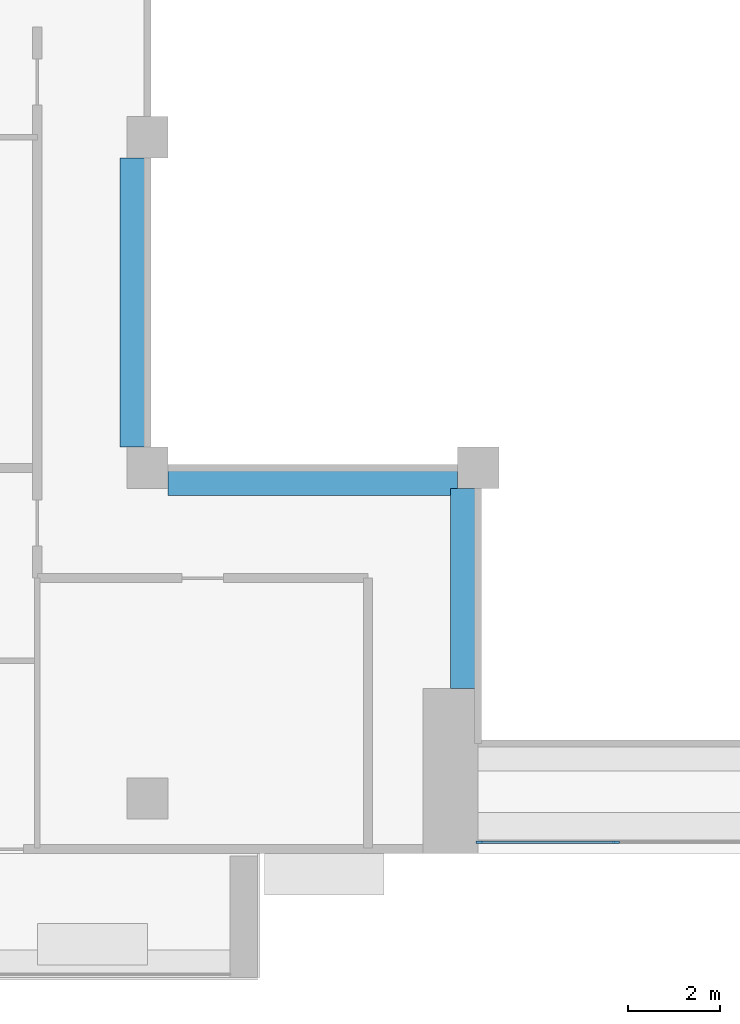
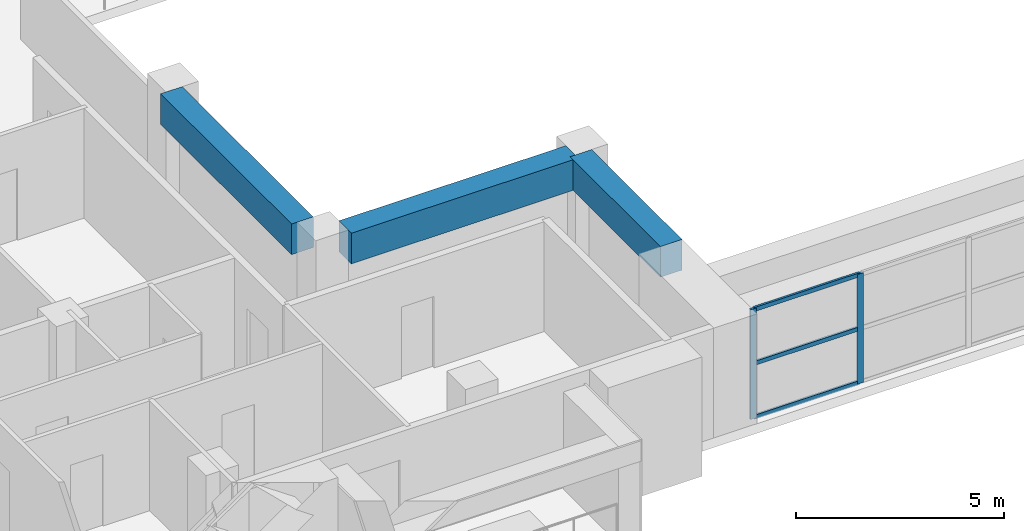
# One storey, part 2 of 19: 5 members, 3 beams, 1 element without a shape of its own.
"""IFC4 building model written with IfcOpenShell, lengths in metres."""

from ifc_helpers import new_model, si_unit, direction, frame, origin, origin_2d, place, context, subcontext, project, spatial, rectangle, extrude, source, transform, mapped, material, layer, layer_set, material_profile, profile_set, type_object, element, aggregate, save


model = new_model("IFC4")

# Units and contexts
model_context = context("Model", 3, precision=1e-05, world=origin(), true_north=direction((0.0, 1.0)))
body_context = subcontext(model_context, "Body", "Model", "MODEL_VIEW")
ifc_project = project(units=[si_unit("LENGTHUNIT", "METRE"), si_unit("AREAUNIT", "SQUARE_METRE"), si_unit("VOLUMEUNIT", "CUBIC_METRE"), si_unit("PLANEANGLEUNIT", "RADIAN"), si_unit("MASSUNIT", "GRAM", prefix="KILO")], contexts=[model_context])

# Site, building, storey
site_placement = place(None, origin())
site = spatial("IfcSite", under=ifc_project, at=site_placement, CompositionType="ELEMENT")
building_placement = place(site_placement, origin())
building = spatial("IfcBuilding", under=site, at=building_placement, Name="Saffron Iwan Residences", CompositionType="ELEMENT")
storey_placement = place(building_placement, frame((0.0, 0.0, 225.5)))
storey = spatial("IfcBuildingStorey", under=building, at=storey_placement, Name="L60", CompositionType="ELEMENT", Elevation=225.5)

# Beams
ifc_material_1 = material(Name="Concrete C40/50", Category="concrete")
ifc_material_profile_1 = material_profile(ifc_material_1, rectangle(XDim=0.60009765625, YDim=0.89990234375, at=origin_2d()), Name="RC 600x900")
ifc_profile_set_1 = profile_set([ifc_material_profile_1], Name="Concrete C40/50")
beam_type = type_object("IfcBeamType", Name="BEAM RC 600x900 C40/50 TOP 3220", PredefinedType="BEAM", material=ifc_profile_set_1)
shared_shape_1 = source(origin(), body_context, "Body", "SweptSolid", [
    extrude(rectangle(XDim=0.60009765625, YDim=0.89990234375, at=origin_2d()), origin(), (0.0, 0.0, 1.0), 4.35009765625),
])
beam_placement = place(storey_placement, frame((42.89990234375, 43.199951171875, 2.77001953125), z_axis=(0.0, 1.0, 0.0), x_axis=(-1.0, 0.0, 0.0)))
element("IfcBeam", 1, at=beam_placement, inside=storey, type_object=beam_type, Name="Atrium edge beam", PredefinedType="BEAM", context=body_context, shape_type="MappedRepresentation", body=[
    mapped(shared_shape_1, transform((0.0, 0.0, 0.0))),
])
shared_shape_2 = source(origin(), body_context, "Body", "SweptSolid", [
    extrude(rectangle(XDim=0.60009765625, YDim=0.89990234375, at=origin_2d()), origin(), (0.0, 0.0, 1.0), 6.300048828125),
])
for number, where, z_axis, x_axis, name in (
    (2, (42.75, 47.699951171875, 2.77001953125), (-1.0, 0.0, 0.0), (0.0, -1.0, 0.0), "Atrium edge beam"),
    (3, (35.699951171875, 48.449951171875, 2.77001953125), (0.0, 1.0, 0.0), (-1.0, 0.0, 0.0), "Atrium edge beam"),
):
    element("IfcBeam", number, at=place(storey_placement, frame(where, z_axis=z_axis, x_axis=x_axis)), inside=storey, type_object=beam_type, Name=name, PredefinedType="BEAM", context=body_context, shape_type="MappedRepresentation", body=[
        mapped(shared_shape_2, transform((0.0, 0.0, 0.0))),
    ])

# Curtain wall, members
ifc_material_2 = material(Name="Clear glass, laminated double glazed", Category="glass")
ifc_layer = layer(ifc_material_2, 0.199951171875)
ifc_layer_set = layer_set([ifc_layer], Name="Clear glass, laminated double glazed")
curtain_wall_type = type_object("IfcCurtainWallType", Name="CW-B IWAN PORTAL", PredefinedType="NOTDEFINED", material=ifc_layer_set)
curtain_wall_placement = place(storey_placement, origin())
curtain_wall = element("IfcCurtainWall", 4, at=curtain_wall_placement, inside=storey, type_object=curtain_wall_type, Name="Iwan portal glazing L60.1", PredefinedType="NOTDEFINED")
ifc_material_3 = material(Name="Aluminium 6063-T6", Category="aluminium")
ifc_material_profile_2 = material_profile(ifc_material_3, rectangle(XDim=0.06005859375, YDim=0.1201171875, at=origin_2d()), Name="CW-B TRANSOM 60 x 120")
ifc_profile_set_2 = profile_set([ifc_material_profile_2], Name="Aluminium 6063-T6")
member_type_1 = type_object("IfcMemberType", Name="CW-B TRANSOM 60 x 120", PredefinedType="USERDEFINED", material=ifc_profile_set_2)
shared_shape_3 = source(origin(), body_context, "Body", "SweptSolid", [
    extrude(rectangle(XDim=0.06005859375, YDim=0.1201171875, at=origin_2d()), origin(), (0.0, 0.0, 1.0), 2.909912109375),
])
member_1_placement = place(storey_placement, frame((43.260009765625, 39.85009765625, 0.030029296875), z_axis=(1.0, 0.0, 0.0), x_axis=(0.0, 1.0, 0.0)))
member_1 = element("IfcMember", 5, at=member_1_placement, type_object=member_type_1, Name="CW-B transom 1.1", ObjectType="TRANSOM", PredefinedType="USERDEFINED", context=body_context, shape_type="MappedRepresentation", body=[
    mapped(shared_shape_3, transform((0.0, 0.0, 0.0))),
])
member_2_placement = place(storey_placement, frame((43.260009765625, 39.85009765625, 1.610107421875), z_axis=(1.0, 0.0, 0.0), x_axis=(0.0, 1.0, 0.0)))
member_2 = element("IfcMember", 6, at=member_2_placement, type_object=member_type_1, Name="CW-B transom 1.2", ObjectType="TRANSOM", PredefinedType="USERDEFINED", context=body_context, shape_type="MappedRepresentation", body=[
    mapped(shared_shape_3, transform((0.0, 0.0, 0.0))),
])
member_3_placement = place(storey_placement, frame((43.260009765625, 39.85009765625, 3.18994140625), z_axis=(1.0, 0.0, 0.0), x_axis=(0.0, 1.0, 0.0)))
member_3 = element("IfcMember", 7, at=member_3_placement, type_object=member_type_1, Name="CW-B transom 1.3", ObjectType="TRANSOM", PredefinedType="USERDEFINED", context=body_context, shape_type="MappedRepresentation", body=[
    mapped(shared_shape_3, transform((0.0, 0.0, 0.0))),
])
ifc_material_profile_3 = material_profile(ifc_material_3, rectangle(XDim=0.06005859375, YDim=0.159912109375, at=origin_2d()), Name="CW-B MULLION 60 x 160")
ifc_profile_set_3 = profile_set([ifc_material_profile_3], Name="Aluminium 6063-T6")
member_type_2 = type_object("IfcMemberType", Name="CW-B MULLION 60 x 160", PredefinedType="MULLION", material=ifc_profile_set_3)
shared_shape_4 = source(origin(), body_context, "Body", "SweptSolid", [
    extrude(rectangle(XDim=0.06005859375, YDim=0.159912109375, at=origin_2d()), origin(), (0.0, 0.0, 1.0), 3.219970703125),
])
member_4_placement = place(storey_placement, frame((43.22998046875, 39.85009765625, 0.0), z_axis=(0.0, 0.0, 1.0), x_axis=(0.0, 1.0, 0.0)))
member_4 = element("IfcMember", 8, at=member_4_placement, type_object=member_type_2, Name="CW-B mullion 1", PredefinedType="MULLION", context=body_context, shape_type="MappedRepresentation", body=[
    mapped(shared_shape_4, transform((0.0, 0.0, 0.0))),
])
member_5_placement = place(storey_placement, frame((46.199951171875, 39.85009765625, 0.0), z_axis=(0.0, 0.0, 1.0), x_axis=(0.0, 1.0, 0.0)))
member_5 = element("IfcMember", 9, at=member_5_placement, type_object=member_type_2, Name="CW-B mullion 2", PredefinedType="MULLION", context=body_context, shape_type="MappedRepresentation", body=[
    mapped(shared_shape_4, transform((0.0, 0.0, 0.0))),
])
aggregate(curtain_wall, [member_4, member_5, member_1, member_2, member_3])

save(model, "model.ifc")
